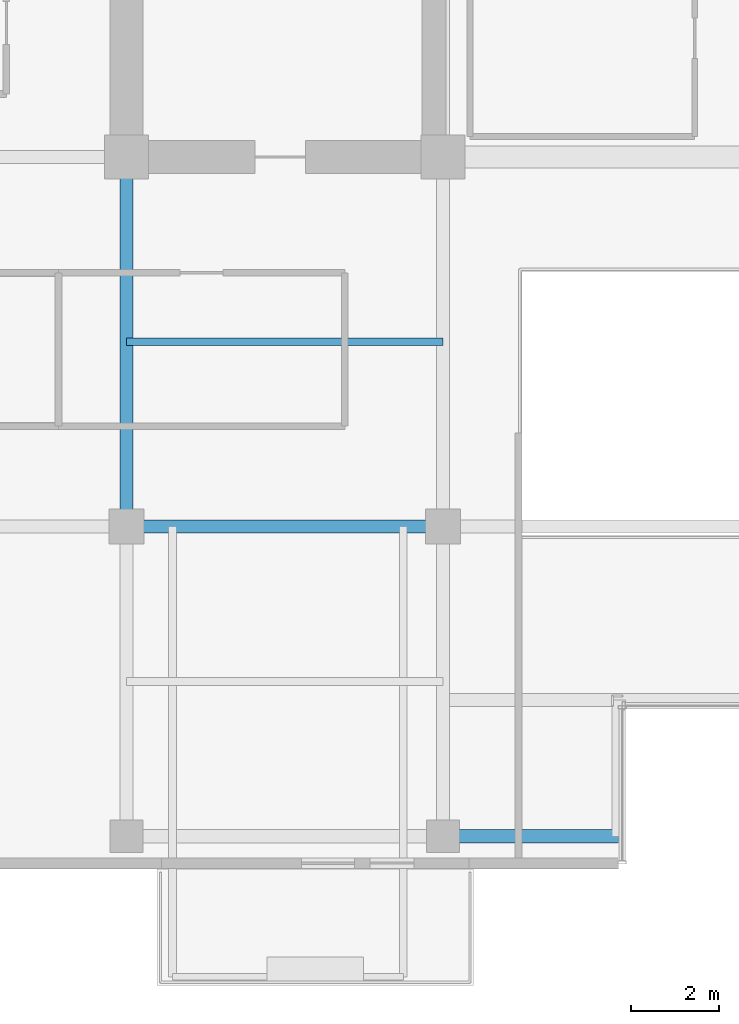
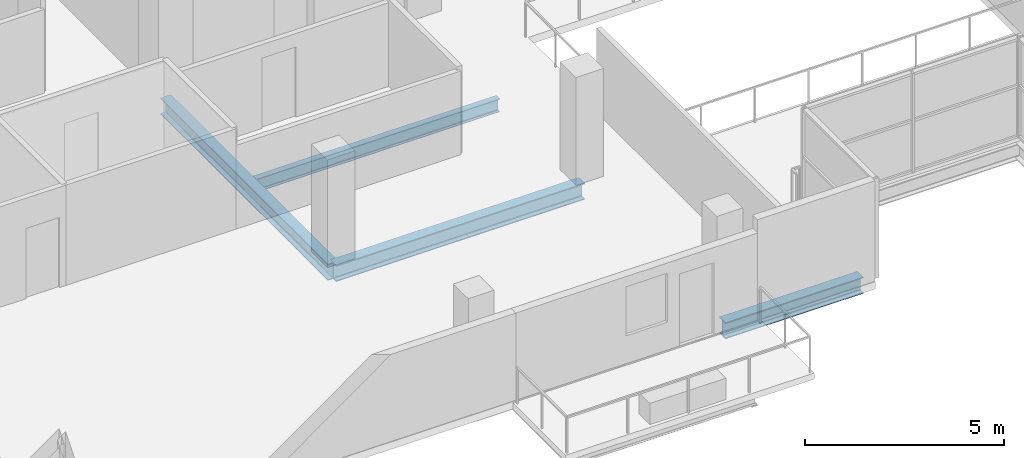
# One storey, part 5 of 25: 4 beams.
"""IFC4 building model written with IfcOpenShell, lengths in metres."""

from ifc_helpers import new_model, si_unit, direction, frame, origin, origin_2d, place, context, subcontext, project, spatial, i_section, extrude, material, material_profile, profile_set, type_object, element, save


model = new_model("IFC4")

# Units and contexts
model_context = context("Model", 3, precision=1e-05, world=origin(), true_north=direction((0.0, 1.0)))
body_context = subcontext(model_context, "Body", "Model", "MODEL_VIEW")
ifc_project = project(units=[si_unit("LENGTHUNIT", "METRE"), si_unit("AREAUNIT", "SQUARE_METRE"), si_unit("VOLUMEUNIT", "CUBIC_METRE"), si_unit("PLANEANGLEUNIT", "RADIAN"), si_unit("MASSUNIT", "GRAM", prefix="KILO")], contexts=[model_context])

# Site, building, storey
site_placement = place(None, origin())
site = spatial("IfcSite", under=ifc_project, at=site_placement, CompositionType="ELEMENT")
building_placement = place(site_placement, origin())
building = spatial("IfcBuilding", under=site, at=building_placement, Name="Zarnakvel Exchange Tower", CompositionType="ELEMENT")
storey_placement = place(building_placement, frame((0.0, 0.0, 162.699951171875)))
storey = spatial("IfcBuildingStorey", under=building, at=storey_placement, Name="L45", CompositionType="ELEMENT", Elevation=162.699951171875)

# Beams
ifc_material = material(Name="Steel S355", Category="steel")
ifc_material_profile_1 = material_profile(ifc_material, i_section(OverallWidth=0.179931640625, OverallDepth=0.39990234375, WebThickness=0.008544921875, FlangeThickness=0.013427734375, FilletRadius=0.02099609375, at=origin_2d()))
ifc_profile_set_1 = profile_set([ifc_material_profile_1], Name="Steel S355")
beam_type_1 = type_object("IfcBeamType", Name="B-06", PredefinedType="JOIST", material=ifc_profile_set_1)
beam_1_placement = place(storey_placement, frame((-14.39990234375, -5.39990234375, -0.425048828125), z_axis=(1.0, 0.0, 0.0), x_axis=(0.0, 1.0, 0.0)))
element("IfcBeam", 1, at=beam_1_placement, inside=storey, type_object=beam_type_1, Name="L45 Composite Floor Secondary Joist", PredefinedType="JOIST", context=body_context, shape_type="SweptSolid", body=[
    extrude(i_section(OverallWidth=0.179931640625, OverallDepth=0.39990234375, WebThickness=0.008544921875, FlangeThickness=0.013427734375, FilletRadius=0.02099609375, at=origin_2d()), origin(), (0.0, 0.0, 1.0), 7.199951171875),
])
ifc_material_profile_2 = material_profile(ifc_material, i_section(OverallWidth=0.300048828125, OverallDepth=0.5, WebThickness=0.014404296875, FlangeThickness=0.028076171875, FilletRadius=0.027099609375, at=origin_2d()))
ifc_profile_set_2 = profile_set([ifc_material_profile_2], Name="Steel S355")
beam_type_2 = type_object("IfcBeamType", Name="G-06", PredefinedType="BEAM", material=ifc_profile_set_2)
beam_2_placement = place(storey_placement, frame((-14.39990234375, -9.60009765625, -0.474853515625), z_axis=(1.0, 0.0, 0.0), x_axis=(0.0, 1.0, 0.0)))
element("IfcBeam", 2, at=beam_2_placement, inside=storey, type_object=beam_type_2, Name="L45 Tower E-W Frame Beam", PredefinedType="BEAM", context=body_context, shape_type="SweptSolid", body=[
    extrude(i_section(OverallWidth=0.300048828125, OverallDepth=0.5, WebThickness=0.014404296875, FlangeThickness=0.028076171875, FilletRadius=0.027099609375, at=origin_2d()), origin(), (0.0, 0.0, 1.0), 7.199951171875),
])
beam_3_placement = place(storey_placement, frame((-14.39990234375, -9.60009765625, -0.474853515625), z_axis=(0.0, 1.0, 0.0), x_axis=(-1.0, 0.0, 0.0)))
element("IfcBeam", 3, at=beam_3_placement, inside=storey, type_object=beam_type_2, Name="L45 Tower N-S Frame Beam", PredefinedType="BEAM", context=body_context, shape_type="SweptSolid", body=[
    extrude(i_section(OverallWidth=0.300048828125, OverallDepth=0.5, WebThickness=0.014404296875, FlangeThickness=0.028076171875, FilletRadius=0.027099609375, at=origin_2d()), origin(), (0.0, 0.0, 1.0), 8.400146484375),
])
ifc_material_profile_3 = material_profile(ifc_material, i_section(OverallWidth=0.300048828125, OverallDepth=0.5, WebThickness=0.014404296875, FlangeThickness=0.028076171875, FilletRadius=0.027099609375, at=origin_2d()))
ifc_profile_set_3 = profile_set([ifc_material_profile_3], Name="Steel S355")
beam_type_3 = type_object("IfcBeamType", Name="SP-02", PredefinedType="SPANDREL", material=ifc_profile_set_3)
beam_4_placement = place(storey_placement, frame((-7.199951171875, -16.64990234375, -0.474853515625), z_axis=(1.0, 0.0, 0.0), x_axis=(0.0, 1.0, 0.0)))
element("IfcBeam", 4, at=beam_4_placement, inside=storey, type_object=beam_type_3, Name="L45 South Slot West Jamb Spandrel", PredefinedType="SPANDREL", context=body_context, shape_type="SweptSolid", body=[
    extrude(i_section(OverallWidth=0.300048828125, OverallDepth=0.5, WebThickness=0.014404296875, FlangeThickness=0.028076171875, FilletRadius=0.027099609375, at=origin_2d()), origin(), (0.0, 0.0, 1.0), 4.0),
])

save(model, "model.ifc")
